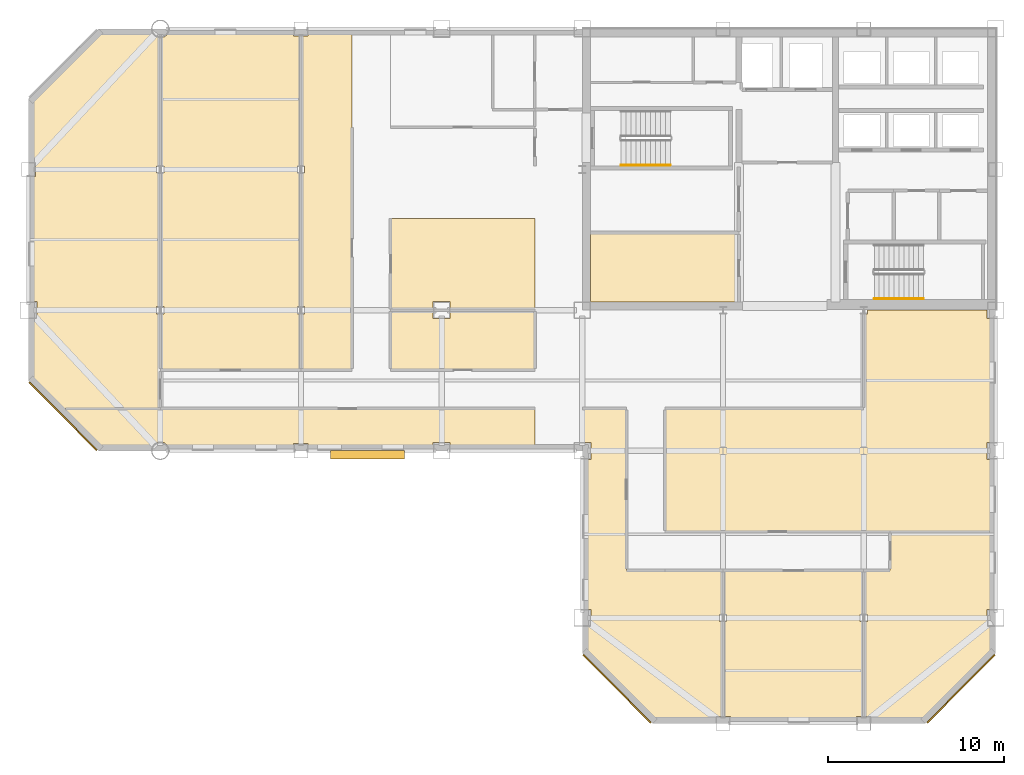
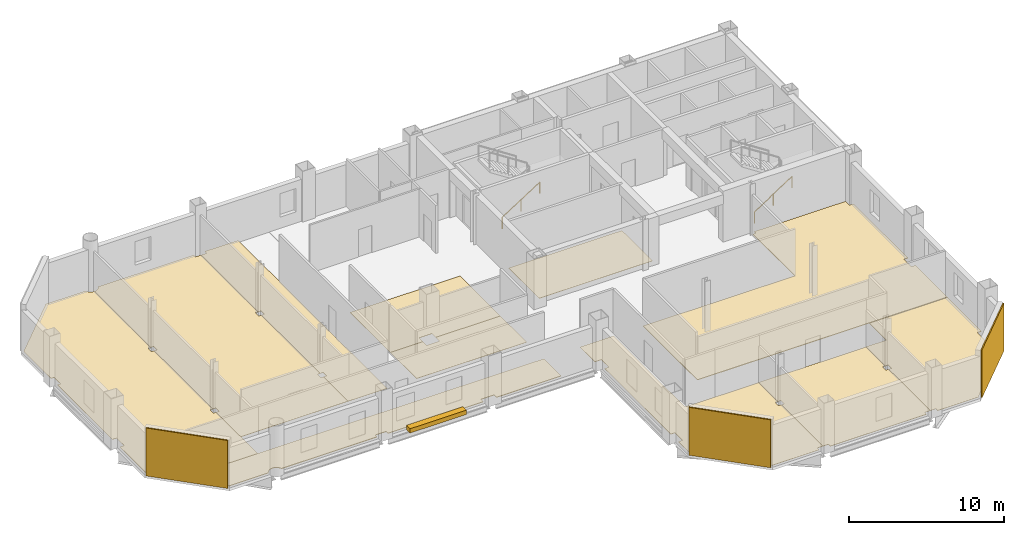
# One storey, part 7 of 10: 14 coverings, 2 railings, 1 shading device.
"""IFC4 building model written with IfcOpenShell, lengths in metres."""

from ifc_helpers import new_model, si_unit, direction, frame, origin, origin_2d, place, context, subcontext, project, spatial, polyline, rectangle, circle, outline, extrude, material, layer, layer_set, type_object, element, save


model = new_model("IFC4")

# Units and contexts
model_context = context("Model", 3, precision=1e-05, world=origin(), true_north=direction((0.0, 1.0)))
body_context = subcontext(model_context, "Body", "Model", "MODEL_VIEW")
ifc_project = project(units=[si_unit("LENGTHUNIT", "METRE"), si_unit("AREAUNIT", "SQUARE_METRE"), si_unit("VOLUMEUNIT", "CUBIC_METRE"), si_unit("PLANEANGLEUNIT", "RADIAN"), si_unit("MASSUNIT", "GRAM", prefix="KILO")], contexts=[model_context])

# Site, building, storey
site_placement = place(None, origin())
site = spatial("IfcSite", under=ifc_project, at=site_placement, CompositionType="ELEMENT")
building_placement = place(site_placement, origin())
building = spatial("IfcBuilding", under=site, at=building_placement, Name="Qianrong Seaharbour Tower", CompositionType="ELEMENT")
storey_placement = place(building_placement, frame((0.0, 0.0, 225.800048828125)))
storey = spatial("IfcBuildingStorey", under=building, at=storey_placement, Name="L54", CompositionType="ELEMENT", Elevation=225.800048828125)

# Coverings
ifc_material_1 = material(Name="Unitised red brick cladding on Precast concrete C45/55", Category="masonry")
ifc_layer_1 = layer(ifc_material_1, 0.080078125)
ifc_layer_set_1 = layer_set([ifc_layer_1], Name="Unitised red brick cladding on Precast concrete C45/55")
covering_type_1 = type_object("IfcCoveringType", Name="COV-CLAD-RED-BRICK-80", PredefinedType="CLADDING", material=ifc_layer_set_1)
for number, where, z_axis, x_axis, name in (
    (1, (10.9716796875, 29.9716796875, 0.0), (0.0, 0.0, 1.0), (-0.707106781187, 0.707106781187, 0.0), "L54 Chamfer Corner Brick Cladding 02"),
    (2, (62.0283203125, 14.4716796875, 0.0), (0.0, 0.0, 1.0), (-0.707106781187, -0.707106781187, 0.0), "L54 Chamfer Corner Brick Cladding 07"),
    (3, (42.4716796875, 14.4716796875, 0.0), (0.0, 0.0, 1.0), (-0.707106781187, 0.707106781187, 0.0), "L54 Chamfer Corner Brick Cladding 09"),
):
    element("IfcCovering", number, at=place(storey_placement, frame(where, z_axis=z_axis, x_axis=x_axis)), inside=storey, type_object=covering_type_1, Name=name, PredefinedType="CLADDING", context=body_context, shape_type="SweptSolid", body=[
        extrude(rectangle(XDim=5.456787109375, YDim=0.080078125, at=origin_2d()), origin(), (0.0, 0.0, 1.0), 3.77490234375),
    ])
ifc_material_2 = material(Name="Acoustic modular carpet tile flooring")
ifc_layer_2 = layer(ifc_material_2, 0.02001953125)
ifc_layer_set_2 = layer_set([ifc_layer_2], Name="Acoustic modular carpet tile flooring")
covering_type_2 = type_object("IfcCoveringType", Name="COV-FLOOR-CARPET-20", PredefinedType="FLOORING", material=ifc_layer_set_2)
covering_1_placement = place(storey_placement, origin())
element("IfcCovering", 4, at=covering_1_placement, inside=storey, type_object=covering_type_2, Name="L54 Corporate Archive Room Finish Flooring", PredefinedType="FLOORING", context=body_context, shape_type="SweptSolid", body=[
    extrude(outline(polyline([(49.39990234375, 40.39990234375), (49.39990234375, 36.4599609375), (40.985107421875, 36.4599609375), (40.985107421875, 36.485107421875), (40.9599609375, 36.485107421875), (40.9599609375, 40.39990234375), (49.39990234375, 40.39990234375)])), origin(), (0.0, 0.0, 1.0), 0.02001953125),
])
covering_2_placement = place(storey_placement, origin())
element("IfcCovering", 5, at=covering_2_placement, inside=storey, type_object=covering_type_2, Name="L54 Boardroom 1 Finish Flooring", PredefinedType="FLOORING", context=body_context, shape_type="SweptSolid", body=[
    extrude(outline(polyline([(9.175048828125, 32.072509765625), (9.175048828125, 35.514892578125), (9.485107421875, 35.514892578125), (9.485107421875, 36.485107421875), (9.175048828125, 36.485107421875), (9.175048828125, 43.590087890625), (9.409912109375, 43.590087890625), (9.409912109375, 44.409912109375), (9.175048828125, 44.409912109375), (9.175048828125, 47.927490234375), (13.072509765625, 51.824951171875), (16.022705078125, 51.824951171875), (16.02880859375, 51.8046875), (16.075927734375, 51.716796875), (16.139404296875, 51.639404296875), (16.216796875, 51.575927734375), (16.3046875, 51.52880859375), (16.400390625, 51.499755859375), (16.5, 51.489990234375), (16.5, 44.2099609375), (16.2900390625, 44.2099609375), (16.2900390625, 43.7900390625), (16.5, 43.7900390625), (16.5, 36.2099609375), (16.2900390625, 36.2099609375), (16.2900390625, 35.7900390625), (16.5, 35.7900390625), (16.5, 30.39990234375), (10.847412109375, 30.39990234375), (9.175048828125, 32.072509765625)])), origin(), (0.0, 0.0, 1.0), 0.02001953125),
])
covering_3_placement = place(storey_placement, origin())
element("IfcCovering", 6, at=covering_3_placement, inside=storey, type_object=covering_type_2, Name="L54 Meeting Room 2 Finish Flooring", PredefinedType="FLOORING", context=body_context, shape_type="SweptSolid", body=[
    extrude(outline(polyline([(24.090087890625, 51.824951171875), (24.090087890625, 51.590087890625), (24.5, 51.590087890625), (24.5, 44.2099609375), (24.2900390625, 44.2099609375), (24.2900390625, 43.7900390625), (24.5, 43.7900390625), (24.5, 36.2099609375), (24.2900390625, 36.2099609375), (24.2900390625, 35.7900390625), (24.5, 35.7900390625), (24.5, 32.60009765625), (16.5, 32.60009765625), (16.5, 35.7900390625), (16.7099609375, 35.7900390625), (16.7099609375, 36.2099609375), (16.5, 36.2099609375), (16.5, 43.7900390625), (16.7099609375, 43.7900390625), (16.7099609375, 44.2099609375), (16.5, 44.2099609375), (16.5, 51.489990234375), (16.599609375, 51.499755859375), (16.6953125, 51.52880859375), (16.783203125, 51.575927734375), (16.860595703125, 51.639404296875), (16.924072265625, 51.716796875), (16.97119140625, 51.8046875), (16.977294921875, 51.824951171875), (24.090087890625, 51.824951171875)])), origin(), (0.0, 0.0, 1.0), 0.02001953125),
])
covering_4_placement = place(storey_placement, origin())
element("IfcCovering", 7, at=covering_4_placement, inside=storey, type_object=covering_type_2, Name="L54 Project Library 3 Finish Flooring", PredefinedType="FLOORING", context=body_context, shape_type="SweptSolid", body=[
    extrude(outline(polyline([(27.39990234375, 51.824951171875), (27.39990234375, 32.60009765625), (24.5, 32.60009765625), (24.5, 35.7900390625), (24.7099609375, 35.7900390625), (24.7099609375, 36.2099609375), (24.5, 36.2099609375), (24.5, 43.7900390625), (24.7099609375, 43.7900390625), (24.7099609375, 44.2099609375), (24.5, 44.2099609375), (24.5, 51.590087890625), (24.909912109375, 51.590087890625), (24.909912109375, 51.824951171875), (27.39990234375, 51.824951171875)])), origin(), (0.0, 0.0, 1.0), 0.02001953125),
])
covering_5_placement = place(storey_placement, origin())
element("IfcCovering", 8, at=covering_5_placement, inside=storey, type_object=covering_type_2, Name="L54 Harbour Lecture Hall 1 Finish Flooring", PredefinedType="FLOORING", context=body_context, shape_type="SweptSolid", body=[
    extrude(outline(polyline([(32.014892578125, 36.0), (32.014892578125, 35.514892578125), (32.985107421875, 35.514892578125), (32.985107421875, 36.0), (37.800048828125, 36.0), (37.800048828125, 32.60009765625), (29.60009765625, 32.60009765625), (29.60009765625, 36.0), (32.014892578125, 36.0)])), origin(), (0.0, 0.0, 1.0), 0.02001953125),
])
covering_6_placement = place(storey_placement, origin())
element("IfcCovering", 9, at=covering_6_placement, inside=storey, type_object=covering_type_2, Name="L54 Division Conference Gallery 2 Finish Flooring", PredefinedType="FLOORING", context=body_context, shape_type="SweptSolid", body=[
    extrude(outline(polyline([(37.800048828125, 41.199951171875), (37.800048828125, 36.0), (32.985107421875, 36.0), (32.985107421875, 36.485107421875), (32.014892578125, 36.485107421875), (32.014892578125, 36.0), (29.60009765625, 36.0), (29.60009765625, 41.199951171875), (37.800048828125, 41.199951171875)])), origin(), (0.0, 0.0, 1.0), 0.02001953125),
])
covering_7_placement = place(storey_placement, origin())
element("IfcCovering", 10, at=covering_7_placement, inside=storey, type_object=covering_type_2, Name="L54 Maritime Seminar Room 1 Finish Flooring", PredefinedType="FLOORING", context=body_context, shape_type="SweptSolid", body=[
    extrude(outline(polyline([(43.0, 21.199951171875), (48.5, 21.199951171875), (48.5, 18.7099609375), (48.2900390625, 18.7099609375), (48.2900390625, 18.2900390625), (48.5, 18.2900390625), (48.5, 12.909912109375), (48.090087890625, 12.909912109375), (48.090087890625, 12.675048828125), (44.572509765625, 12.675048828125), (40.675048828125, 16.572509765625), (40.675048828125, 18.014892578125), (40.985107421875, 18.014892578125), (40.985107421875, 18.985107421875), (40.675048828125, 18.985107421875), (40.675048828125, 27.514892578125), (40.985107421875, 27.514892578125), (40.985107421875, 28.485107421875), (40.5, 28.485107421875), (40.5, 30.39990234375), (43.0, 30.39990234375), (43.0, 21.199951171875)])), origin(), (0.0, 0.0, 1.0), 0.02001953125),
])
covering_8_placement = place(storey_placement, origin())
element("IfcCovering", 11, at=covering_8_placement, inside=storey, type_object=covering_type_2, Name="L54 Meeting Room 2 Finish Flooring", PredefinedType="FLOORING", context=body_context, shape_type="SweptSolid", body=[
    extrude(outline(polyline([(48.909912109375, 12.675048828125), (48.909912109375, 12.909912109375), (48.5, 12.909912109375), (48.5, 18.2900390625), (48.7099609375, 18.2900390625), (48.7099609375, 18.7099609375), (48.5, 18.7099609375), (48.5, 21.199951171875), (56.5, 21.199951171875), (56.5, 18.7099609375), (56.2900390625, 18.7099609375), (56.2900390625, 18.2900390625), (56.5, 18.2900390625), (56.5, 12.909912109375), (56.090087890625, 12.909912109375), (56.090087890625, 12.675048828125), (48.909912109375, 12.675048828125)])), origin(), (0.0, 0.0, 1.0), 0.02001953125),
])
covering_9_placement = place(storey_placement, origin())
element("IfcCovering", 12, at=covering_9_placement, inside=storey, type_object=covering_type_2, Name="L54 Standards Library 3 Finish Flooring", PredefinedType="FLOORING", context=body_context, shape_type="SweptSolid", body=[
    extrude(outline(polyline([(59.927490234375, 12.675048828125), (56.909912109375, 12.675048828125), (56.909912109375, 12.909912109375), (56.5, 12.909912109375), (56.5, 18.2900390625), (56.7099609375, 18.2900390625), (56.7099609375, 18.7099609375), (56.5, 18.7099609375), (56.5, 21.199951171875), (58.0, 21.199951171875), (58.0, 23.39990234375), (63.824951171875, 23.39990234375), (63.824951171875, 18.985107421875), (63.514892578125, 18.985107421875), (63.514892578125, 18.014892578125), (63.824951171875, 18.014892578125), (63.824951171875, 16.572509765625), (59.927490234375, 12.675048828125)])), origin(), (0.0, 0.0, 1.0), 0.02001953125),
])
ifc_material_3 = material(Name="Calcium-sulphate raised access floor tile")
ifc_layer_3 = layer(ifc_material_3, 0.044921875)
ifc_layer_set_3 = layer_set([ifc_layer_3], Name="Calcium-sulphate raised access floor tile")
covering_type_3 = type_object("IfcCoveringType", Name="COV-FLOOR-RAISED-45", PredefinedType="FLOORING", material=ifc_layer_set_3)
covering_10_placement = place(storey_placement, origin())
element("IfcCovering", 13, at=covering_10_placement, inside=storey, type_object=covering_type_3, Name="L54 South Wing Open-Plan Office Finish Flooring", PredefinedType="FLOORING", context=body_context, shape_type="SweptSolid", body=[
    extrude(outline(polyline([(56.5, 30.39990234375), (56.5, 35.7900390625), (56.7099609375, 35.7900390625), (56.7099609375, 36.0), (63.514892578125, 36.0), (63.514892578125, 35.514892578125), (63.824951171875, 35.514892578125), (63.824951171875, 28.485107421875), (63.514892578125, 28.485107421875), (63.514892578125, 27.514892578125), (63.824951171875, 27.514892578125), (63.824951171875, 23.39990234375), (45.199951171875, 23.39990234375), (45.199951171875, 30.39990234375), (56.5, 30.39990234375)])), origin(), (0.0, 0.0, 1.0), 0.044921875),
])
covering_11_placement = place(storey_placement, origin())
element("IfcCovering", 14, at=covering_11_placement, inside=storey, type_object=covering_type_3, Name="L54 West Spine Open-Plan Office Finish Flooring", PredefinedType="FLOORING", context=body_context, shape_type="SweptSolid", body=[
    extrude(outline(polyline([(32.985107421875, 28.175048828125), (32.985107421875, 28.485107421875), (32.014892578125, 28.485107421875), (32.014892578125, 28.175048828125), (24.909912109375, 28.175048828125), (24.909912109375, 28.409912109375), (24.090087890625, 28.409912109375), (24.090087890625, 28.175048828125), (16.977294921875, 28.175048828125), (16.97119140625, 28.1953125), (16.924072265625, 28.283203125), (16.860595703125, 28.360595703125), (16.783203125, 28.424072265625), (16.6953125, 28.47119140625), (16.599609375, 28.500244140625), (16.5, 28.510009765625), (16.400390625, 28.500244140625), (16.3046875, 28.47119140625), (16.216796875, 28.424072265625), (16.139404296875, 28.360595703125), (16.075927734375, 28.283203125), (16.02880859375, 28.1953125), (16.022705078125, 28.175048828125), (13.072509765625, 28.175048828125), (10.847412109375, 30.39990234375), (37.800048828125, 30.39990234375), (37.800048828125, 28.175048828125), (32.985107421875, 28.175048828125)])), origin(), (0.0, 0.0, 1.0), 0.044921875),
])

# Railings
ifc_material_4 = material(Name="Stainless steel SUS316L continuous handrail", Category="steel")
railing_type = type_object("IfcRailingType", Name="RAIL-STAIR-HANDRAIL-900", PredefinedType="HANDRAIL", material=ifc_material_4)
railing_1_placement = place(storey_placement, frame((42.699951171875, 44.25, 0.181884765625)))
element("IfcRailing", 15, at=railing_1_placement, inside=storey, type_object=railing_type, Name="L54 ST-1 stair handrail 1", PredefinedType="HANDRAIL", context=body_context, shape_type="SweptSolid", body=[
    extrude(circle(Radius=0.02392578125, at=origin_2d()), frame((0.0, 0.0, 0.8759765625), z_axis=(0.838705829183, 0.0, 0.544584733623), x_axis=(0.0, 1.0, 0.0)), (0.0, 0.0, 1.0), 3.338623046875),
    extrude(circle(Radius=0.02099609375, at=origin_2d()), origin(), (0.0, 0.0, 1.0), 0.851806640625),
    extrude(circle(Radius=0.02099609375, at=origin_2d()), frame((1.39990234375, 0.0, 0.9091796875)), (0.0, 0.0, 1.0), 0.851806640625),
    extrude(circle(Radius=0.02099609375, at=origin_2d()), frame((2.800048828125, 0.0, 1.818115234375)), (0.0, 0.0, 1.0), 0.851806640625),
])
railing_2_placement = place(storey_placement, frame((57.10009765625, 36.64990234375, 0.181884765625)))
element("IfcRailing", 16, at=railing_2_placement, inside=storey, type_object=railing_type, Name="L54 ST-2 stair handrail 1", PredefinedType="HANDRAIL", context=body_context, shape_type="SweptSolid", body=[
    extrude(circle(Radius=0.02392578125, at=origin_2d()), frame((0.0, 0.0, 0.8759765625), z_axis=(0.83868413941, 0.0, 0.544618136222), x_axis=(0.0, 1.0, 0.0)), (0.0, 0.0, 1.0), 3.33837890625),
    extrude(circle(Radius=0.02099609375, at=origin_2d()), origin(), (0.0, 0.0, 1.0), 0.851806640625),
    extrude(circle(Radius=0.02099609375, at=origin_2d()), frame((1.39990234375, 0.0, 0.9091796875)), (0.0, 0.0, 1.0), 0.851806640625),
    extrude(circle(Radius=0.02099609375, at=origin_2d()), frame((2.7998046875, 0.0, 1.818115234375)), (0.0, 0.0, 1.0), 0.851806640625),
])

# Shading device
ifc_material_5 = material(Name="White architectural precast concrete C45/55", Category="concrete")
shading_device_type = type_object("IfcShadingDeviceType", Name="SHD-SUNSHADE-WHITE-320", PredefinedType="AWNING", material=ifc_material_5)
shading_device_placement = place(storey_placement, frame((28.28759765625, 27.780029296875, -0.02001953125), z_axis=(0.0, 0.0, 1.0), x_axis=(1.0, 0.0, 0.0)))
element("IfcShadingDevice", 17, at=shading_device_placement, inside=storey, type_object=shading_device_type, Name="L54 Climbing White Precast Ribbon Canopy Fin", PredefinedType="AWNING", context=body_context, shape_type="SweptSolid", body=[
    extrude(rectangle(XDim=4.199951171875, YDim=0.4599609375, at=origin_2d()), origin(), (0.0, 0.0, 1.0), 0.340087890625),
])

save(model, "model.ifc")
